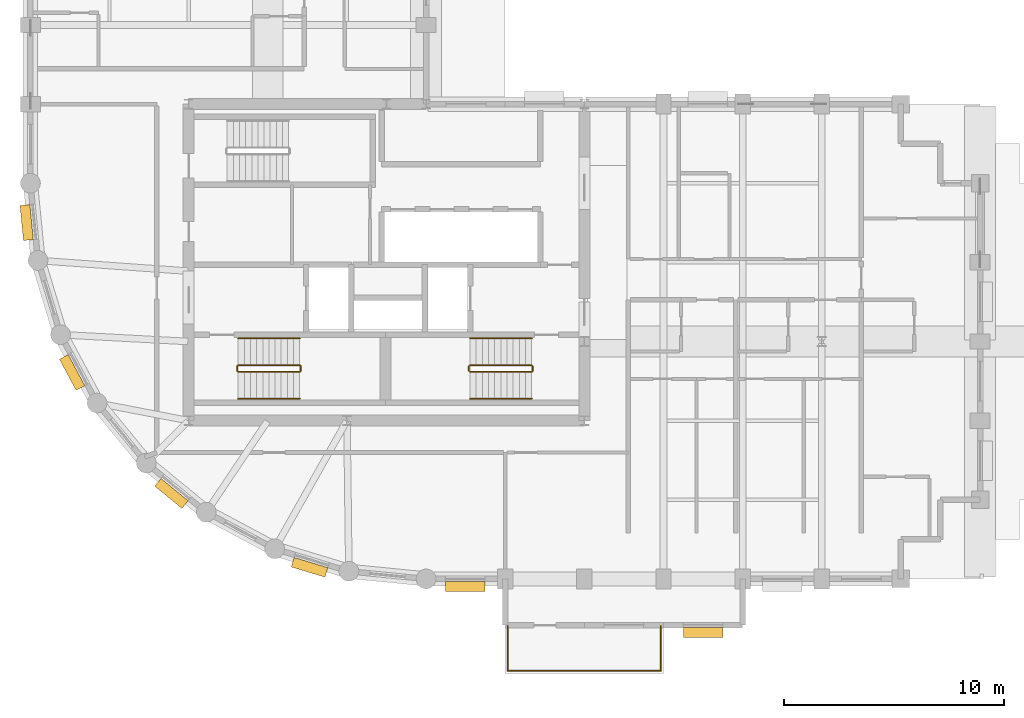
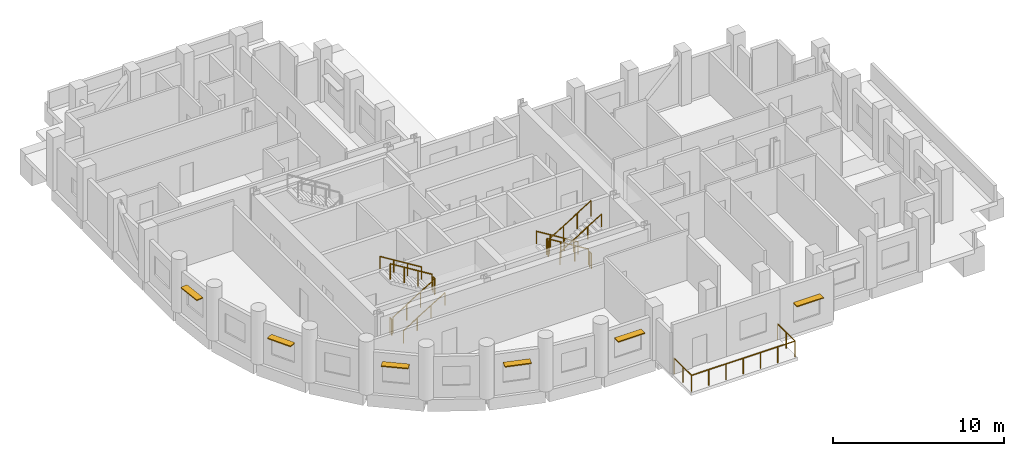
# One storey, part 8 of 10: 15 railings, 6 shading devices.
"""IFC4 building model written with IfcOpenShell, lengths in metres."""

from ifc_helpers import new_model, si_unit, direction, frame, origin, origin_2d, place, context, subcontext, project, spatial, rectangle, circle, extrude, material, layer, layer_set, type_object, element, save


model = new_model("IFC4")

# Units and contexts
model_context = context("Model", 3, precision=1e-05, world=origin(), true_north=direction((0.0, 1.0)))
body_context = subcontext(model_context, "Body", "Model", "MODEL_VIEW")
ifc_project = project(units=[si_unit("LENGTHUNIT", "METRE"), si_unit("AREAUNIT", "SQUARE_METRE"), si_unit("VOLUMEUNIT", "CUBIC_METRE"), si_unit("PLANEANGLEUNIT", "RADIAN"), si_unit("MASSUNIT", "GRAM", prefix="KILO")], contexts=[model_context])

# Site, building, storey
site_placement = place(None, origin())
site = spatial("IfcSite", under=ifc_project, at=site_placement, CompositionType="ELEMENT")
building_placement = place(site_placement, origin())
building = spatial("IfcBuilding", under=site, at=building_placement, Name="Solnavia Interchange Tower", CompositionType="ELEMENT")
storey_placement = place(building_placement, frame((0.0, 0.0, 174.800048828125)))
storey = spatial("IfcBuildingStorey", under=building, at=storey_placement, Name="L43", CompositionType="ELEMENT", Elevation=174.800048828125)

# Railings
ifc_material_1 = material(Name="Painted Steel Balustrade", Category="steel")
railing_type_1 = type_object("IfcRailingType", Name="Railing-StairGuard-1100", PredefinedType="GUARDRAIL", material=ifc_material_1)
railing_1_placement = place(storey_placement, frame((16.64990234375, 13.02001953125, 0.172607421875)))
element("IfcRailing", 1, at=railing_1_placement, inside=storey, type_object=railing_type_1, Name="L43 ST-1 stair guard 1", PredefinedType="GUARDRAIL", context=body_context, shape_type="SweptSolid", body=[
    extrude(circle(Radius=0.02392578125, at=origin_2d()), frame((0.0, 0.0, 1.09619140625), z_axis=(0.851089632645, 0.0, 0.525020415988), x_axis=(0.0, 1.0, 0.0)), (0.0, 0.0, 1.0), 3.2900390625),
    extrude(circle(Radius=0.02099609375, at=origin_2d()), origin(), (0.0, 0.0, 1.0), 1.072021484375),
    extrude(circle(Radius=0.02099609375, at=origin_2d()), frame((0.933349609375, 0.0, 0.57568359375)), (0.0, 0.0, 1.0), 1.072021484375),
    extrude(circle(Radius=0.02099609375, at=origin_2d()), frame((1.86669921875, 0.0, 1.151611328125)), (0.0, 0.0, 1.0), 1.072021484375),
    extrude(circle(Radius=0.02099609375, at=origin_2d()), frame((2.800048828125, 0.0, 1.727294921875)), (0.0, 0.0, 1.0), 1.072021484375),
])
railing_2_placement = place(storey_placement, frame((19.5, 13.070068359375, 1.89990234375)))
element("IfcRailing", 2, at=railing_2_placement, inside=storey, type_object=railing_type_1, Name="L43 ST-1 stair guard 2", PredefinedType="GUARDRAIL", context=body_context, shape_type="SweptSolid", body=[
    extrude(circle(Radius=0.02392578125, at=origin_2d()), frame((0.0, 0.0, 1.09619140625), z_axis=(0.0, 1.0, 0.0), x_axis=(-1.0, 0.0, 0.0)), (0.0, 0.0, 1.0), 0.199951171875),
    extrude(circle(Radius=0.02099609375, at=origin_2d()), origin(), (0.0, 0.0, 1.0), 1.072021484375),
    extrude(circle(Radius=0.02099609375, at=origin_2d()), frame((0.0, 0.199951171875, 0.0)), (0.0, 0.0, 1.0), 1.072021484375),
])
railing_3_placement = place(storey_placement, frame((19.449951171875, 13.320068359375, 2.07275390625)))
element("IfcRailing", 3, at=railing_3_placement, inside=storey, type_object=railing_type_1, Name="L43 ST-1 stair guard 3", PredefinedType="GUARDRAIL", context=body_context, shape_type="SweptSolid", body=[
    extrude(circle(Radius=0.02392578125, at=origin_2d()), frame((0.0, 0.0, 1.09619140625), z_axis=(-0.851089632645, 0.0, 0.525020415988), x_axis=(0.0, -1.0, 0.0)), (0.0, 0.0, 1.0), 3.2900390625),
    extrude(circle(Radius=0.02099609375, at=origin_2d()), origin(), (0.0, 0.0, 1.0), 1.072021484375),
    extrude(circle(Radius=0.02099609375, at=origin_2d()), frame((-0.933349609375, 0.0, 0.57568359375)), (0.0, 0.0, 1.0), 1.072021484375),
    extrude(circle(Radius=0.02099609375, at=origin_2d()), frame((-1.86669921875, 0.0, 1.151611328125)), (0.0, 0.0, 1.0), 1.072021484375),
    extrude(circle(Radius=0.02099609375, at=origin_2d()), frame((-2.800048828125, 0.0, 1.727294921875)), (0.0, 0.0, 1.0), 1.072021484375),
])
railing_4_placement = place(storey_placement, frame((16.60009765625, 13.070068359375, 0.0)))
element("IfcRailing", 4, at=railing_4_placement, inside=storey, type_object=railing_type_1, Name="L43 ST-1 stair guard 4", PredefinedType="GUARDRAIL", context=body_context, shape_type="SweptSolid", body=[
    extrude(circle(Radius=0.02392578125, at=origin_2d()), frame((0.0, 0.0, 1.09619140625), z_axis=(0.0, 1.0, 0.0), x_axis=(-1.0, 0.0, 0.0)), (0.0, 0.0, 1.0), 0.199951171875),
    extrude(circle(Radius=0.02099609375, at=origin_2d()), origin(), (0.0, 0.0, 1.0), 1.072021484375),
    extrude(circle(Radius=0.02099609375, at=origin_2d()), frame((0.0, 0.199951171875, 0.0)), (0.0, 0.0, 1.0), 1.072021484375),
])
railing_5_placement = place(storey_placement, frame((30.0, 13.320068359375, 0.172607421875)))
element("IfcRailing", 5, at=railing_5_placement, inside=storey, type_object=railing_type_1, Name="L43 ST-2 stair guard 1", PredefinedType="GUARDRAIL", context=body_context, shape_type="SweptSolid", body=[
    extrude(circle(Radius=0.02392578125, at=origin_2d()), frame((0.0, 0.0, 1.09619140625), z_axis=(-0.851089632645, 0.0, 0.525020415988), x_axis=(0.0, -1.0, 0.0)), (0.0, 0.0, 1.0), 3.2900390625),
    extrude(circle(Radius=0.02099609375, at=origin_2d()), origin(), (0.0, 0.0, 1.0), 1.072021484375),
    extrude(circle(Radius=0.02099609375, at=origin_2d()), frame((-0.933349609375, 0.0, 0.57568359375)), (0.0, 0.0, 1.0), 1.072021484375),
    extrude(circle(Radius=0.02099609375, at=origin_2d()), frame((-1.86669921875, 0.0, 1.151611328125)), (0.0, 0.0, 1.0), 1.072021484375),
    extrude(circle(Radius=0.02099609375, at=origin_2d()), frame((-2.800048828125, 0.0, 1.727294921875)), (0.0, 0.0, 1.0), 1.072021484375),
])
railing_6_placement = place(storey_placement, frame((27.14990234375, 13.27001953125, 1.89990234375)))
element("IfcRailing", 6, at=railing_6_placement, inside=storey, type_object=railing_type_1, Name="L43 ST-2 stair guard 2", PredefinedType="GUARDRAIL", context=body_context, shape_type="SweptSolid", body=[
    extrude(circle(Radius=0.02392578125, at=origin_2d()), frame((0.0, 0.0, 1.09619140625), z_axis=(0.0, -1.0, 0.0), x_axis=(1.0, 0.0, 0.0)), (0.0, 0.0, 1.0), 0.199951171875),
    extrude(circle(Radius=0.02099609375, at=origin_2d()), origin(), (0.0, 0.0, 1.0), 1.072021484375),
    extrude(circle(Radius=0.02099609375, at=origin_2d()), frame((0.0, -0.199951171875, 0.0)), (0.0, 0.0, 1.0), 1.072021484375),
])
railing_7_placement = place(storey_placement, frame((27.199951171875, 13.02001953125, 2.07275390625)))
element("IfcRailing", 7, at=railing_7_placement, inside=storey, type_object=railing_type_1, Name="L43 ST-2 stair guard 3", PredefinedType="GUARDRAIL", context=body_context, shape_type="SweptSolid", body=[
    extrude(circle(Radius=0.02392578125, at=origin_2d()), frame((0.0, 0.0, 1.09619140625), z_axis=(0.851089632645, 0.0, 0.525020415988), x_axis=(0.0, 1.0, 0.0)), (0.0, 0.0, 1.0), 3.2900390625),
    extrude(circle(Radius=0.02099609375, at=origin_2d()), origin(), (0.0, 0.0, 1.0), 1.072021484375),
    extrude(circle(Radius=0.02099609375, at=origin_2d()), frame((0.933349609375, 0.0, 0.57568359375)), (0.0, 0.0, 1.0), 1.072021484375),
    extrude(circle(Radius=0.02099609375, at=origin_2d()), frame((1.86669921875, 0.0, 1.151611328125)), (0.0, 0.0, 1.0), 1.072021484375),
    extrude(circle(Radius=0.02099609375, at=origin_2d()), frame((2.800048828125, 0.0, 1.727294921875)), (0.0, 0.0, 1.0), 1.072021484375),
])
railing_8_placement = place(storey_placement, frame((30.050048828125, 13.27001953125, 0.0)))
element("IfcRailing", 8, at=railing_8_placement, inside=storey, type_object=railing_type_1, Name="L43 ST-2 stair guard 4", PredefinedType="GUARDRAIL", context=body_context, shape_type="SweptSolid", body=[
    extrude(circle(Radius=0.02392578125, at=origin_2d()), frame((0.0, 0.0, 1.09619140625), z_axis=(0.0, -1.0, 0.0), x_axis=(1.0, 0.0, 0.0)), (0.0, 0.0, 1.0), 0.199951171875),
    extrude(circle(Radius=0.02099609375, at=origin_2d()), origin(), (0.0, 0.0, 1.0), 1.072021484375),
    extrude(circle(Radius=0.02099609375, at=origin_2d()), frame((0.0, -0.199951171875, 0.0)), (0.0, 0.0, 1.0), 1.072021484375),
])
ifc_material_2 = material(Name="Brushed Stainless Steel", Category="steel")
railing_type_2 = type_object("IfcRailingType", Name="Railing-StairHandrail-900", PredefinedType="HANDRAIL", material=ifc_material_2)
railing_9_placement = place(storey_placement, frame((16.64990234375, 11.800048828125, 0.172607421875)))
element("IfcRailing", 9, at=railing_9_placement, inside=storey, type_object=railing_type_2, Name="L43 ST-1 stair handrail 1", PredefinedType="HANDRAIL", context=body_context, shape_type="SweptSolid", body=[
    extrude(circle(Radius=0.02392578125, at=origin_2d()), frame((0.0, 0.0, 0.8759765625), z_axis=(0.851089632645, 0.0, 0.525020415988), x_axis=(0.0, 1.0, 0.0)), (0.0, 0.0, 1.0), 3.2900390625),
    extrude(circle(Radius=0.02099609375, at=origin_2d()), origin(), (0.0, 0.0, 1.0), 0.851806640625),
    extrude(circle(Radius=0.02099609375, at=origin_2d()), frame((0.933349609375, 0.0, 0.57568359375)), (0.0, 0.0, 1.0), 0.851806640625),
    extrude(circle(Radius=0.02099609375, at=origin_2d()), frame((1.86669921875, 0.0, 1.151611328125)), (0.0, 0.0, 1.0), 0.851806640625),
    extrude(circle(Radius=0.02099609375, at=origin_2d()), frame((2.800048828125, 0.0, 1.727294921875)), (0.0, 0.0, 1.0), 0.851806640625),
])
for number, where, name in (
    (10, (19.449951171875, 14.5400390625, 2.07275390625), "L43 ST-1 stair handrail 2"),
    (11, (30.0, 14.5400390625, 0.172607421875), "L43 ST-2 stair handrail 1"),
):
    element("IfcRailing", number, at=place(storey_placement, frame(where)), inside=storey, type_object=railing_type_2, Name=name, PredefinedType="HANDRAIL", context=body_context, shape_type="SweptSolid", body=[
        extrude(circle(Radius=0.02392578125, at=origin_2d()), frame((0.0, 0.0, 0.8759765625), z_axis=(-0.851089632645, 0.0, 0.525020415988), x_axis=(0.0, -1.0, 0.0)), (0.0, 0.0, 1.0), 3.2900390625),
        extrude(circle(Radius=0.02099609375, at=origin_2d()), origin(), (0.0, 0.0, 1.0), 0.851806640625),
        extrude(circle(Radius=0.02099609375, at=origin_2d()), frame((-0.933349609375, 0.0, 0.57568359375)), (0.0, 0.0, 1.0), 0.851806640625),
        extrude(circle(Radius=0.02099609375, at=origin_2d()), frame((-1.86669921875, 0.0, 1.151611328125)), (0.0, 0.0, 1.0), 0.851806640625),
        extrude(circle(Radius=0.02099609375, at=origin_2d()), frame((-2.800048828125, 0.0, 1.727294921875)), (0.0, 0.0, 1.0), 0.851806640625),
    ])
railing_10_placement = place(storey_placement, frame((27.199951171875, 11.800048828125, 2.07275390625)))
element("IfcRailing", 12, at=railing_10_placement, inside=storey, type_object=railing_type_2, Name="L43 ST-2 stair handrail 2", PredefinedType="HANDRAIL", context=body_context, shape_type="SweptSolid", body=[
    extrude(circle(Radius=0.02392578125, at=origin_2d()), frame((0.0, 0.0, 0.8759765625), z_axis=(0.851089632645, 0.0, 0.525020415988), x_axis=(0.0, 1.0, 0.0)), (0.0, 0.0, 1.0), 3.2900390625),
    extrude(circle(Radius=0.02099609375, at=origin_2d()), origin(), (0.0, 0.0, 1.0), 0.851806640625),
    extrude(circle(Radius=0.02099609375, at=origin_2d()), frame((0.933349609375, 0.0, 0.57568359375)), (0.0, 0.0, 1.0), 0.851806640625),
    extrude(circle(Radius=0.02099609375, at=origin_2d()), frame((1.86669921875, 0.0, 1.151611328125)), (0.0, 0.0, 1.0), 0.851806640625),
    extrude(circle(Radius=0.02099609375, at=origin_2d()), frame((2.800048828125, 0.0, 1.727294921875)), (0.0, 0.0, 1.0), 0.851806640625),
])
ifc_material_3 = material(Name="Laminated Safety Glass & Stainless Steel", Category="steel")
railing_type_3 = type_object("IfcRailingType", Name="Railing-TerraceGuard-1150", PredefinedType="GUARDRAIL", material=ifc_material_3)
railing_11_placement = place(storey_placement, frame((28.919921875, 1.449951171875, -0.0400390625)))
element("IfcRailing", 13, at=railing_11_placement, inside=storey, type_object=railing_type_3, Name="GRD-L43-TER-01 Perimeter terrace guardrail", PredefinedType="GUARDRAIL", context=body_context, shape_type="SweptSolid", body=[
    extrude(circle(Radius=0.02392578125, at=origin_2d()), frame((0.0, 0.0, 1.1259765625), z_axis=(0.0, -1.0, 0.0), x_axis=(1.0, 0.0, 0.0)), (0.0, 0.0, 1.0), 2.030029296875),
    extrude(circle(Radius=0.02099609375, at=origin_2d()), origin(), (0.0, 0.0, 1.0), 1.101806640625),
    extrude(circle(Radius=0.02099609375, at=origin_2d()), frame((0.0, -1.01513671875, 0.0)), (0.0, 0.0, 1.0), 1.101806640625),
    extrude(circle(Radius=0.02099609375, at=origin_2d()), frame((0.0, -2.030029296875, 0.0)), (0.0, 0.0, 1.0), 1.101806640625),
])
railing_12_placement = place(storey_placement, frame((28.919921875, -0.580078125, -0.0400390625)))
element("IfcRailing", 14, at=railing_12_placement, inside=storey, type_object=railing_type_3, Name="GRD-L43-TER-02 Perimeter terrace guardrail", PredefinedType="GUARDRAIL", context=body_context, shape_type="SweptSolid", body=[
    extrude(circle(Radius=0.02392578125, at=origin_2d()), frame((0.0, 0.0, 1.1259765625), z_axis=(1.0, 0.0, 0.0), x_axis=(0.0, 1.0, 0.0)), (0.0, 0.0, 1.0), 6.9599609375),
    extrude(circle(Radius=0.02099609375, at=origin_2d()), origin(), (0.0, 0.0, 1.0), 1.101806640625),
    extrude(circle(Radius=0.02099609375, at=origin_2d()), frame((1.159912109375, 0.0, 0.0)), (0.0, 0.0, 1.0), 1.101806640625),
    extrude(circle(Radius=0.02099609375, at=origin_2d()), frame((2.320068359375, 0.0, 0.0)), (0.0, 0.0, 1.0), 1.101806640625),
    extrude(circle(Radius=0.02099609375, at=origin_2d()), frame((3.47998046875, 0.0, 0.0)), (0.0, 0.0, 1.0), 1.101806640625),
    extrude(circle(Radius=0.02099609375, at=origin_2d()), frame((4.639892578125, 0.0, 0.0)), (0.0, 0.0, 1.0), 1.101806640625),
    extrude(circle(Radius=0.02099609375, at=origin_2d()), frame((5.800048828125, 0.0, 0.0)), (0.0, 0.0, 1.0), 1.101806640625),
    extrude(circle(Radius=0.02099609375, at=origin_2d()), frame((6.9599609375, 0.0, 0.0)), (0.0, 0.0, 1.0), 1.101806640625),
])
railing_13_placement = place(storey_placement, frame((35.8798828125, -0.580078125, -0.0400390625)))
element("IfcRailing", 15, at=railing_13_placement, inside=storey, type_object=railing_type_3, Name="GRD-L43-TER-03 Perimeter terrace guardrail", PredefinedType="GUARDRAIL", context=body_context, shape_type="SweptSolid", body=[
    extrude(circle(Radius=0.02392578125, at=origin_2d()), frame((0.0, 0.0, 1.1259765625), z_axis=(0.0, 1.0, 0.0), x_axis=(-1.0, 0.0, 0.0)), (0.0, 0.0, 1.0), 2.030029296875),
    extrude(circle(Radius=0.02099609375, at=origin_2d()), origin(), (0.0, 0.0, 1.0), 1.101806640625),
    extrude(circle(Radius=0.02099609375, at=origin_2d()), frame((0.0, 1.01513671875, 0.0)), (0.0, 0.0, 1.0), 1.101806640625),
    extrude(circle(Radius=0.02099609375, at=origin_2d()), frame((0.0, 2.030029296875, 0.0)), (0.0, 0.0, 1.0), 1.101806640625),
])

# Shading devices
ifc_material_4 = material(Name="Anodised Aluminium Sunshade", Category="aluminium")
ifc_layer = layer(ifc_material_4, 0.070068359375)
ifc_layer_set = layer_set([ifc_layer], Name="Anodised Aluminium Sunshade")
shading_device_type = type_object("IfcShadingDeviceType", Name="Sunshade-Band-450", PredefinedType="JALOUSIE", material=ifc_layer_set)
for number, where, z_axis, x_axis, name in (
    (16, (26.97509765625, 3.2548828125, 2.22509765625), (0.0, 0.0, 1.0), (-1.0, 0.0, 0.0), "SHD-L43-01 Horizontal sunshade band"),
    (17, (37.800048828125, 1.155029296875, 2.22509765625), (0.0, 0.0, 1.0), (-1.0, 0.0, 0.0), "SHD-L43-05 Horizontal sunshade band"),
):
    element("IfcShadingDevice", number, at=place(storey_placement, frame(where, z_axis=z_axis, x_axis=x_axis)), inside=storey, type_object=shading_device_type, Name=name, PredefinedType="JALOUSIE", context=body_context, shape_type="SweptSolid", body=[
        extrude(rectangle(XDim=1.800048828125, YDim=0.449951171875, at=origin_2d()), origin(), (0.0, 0.0, 1.0), 0.070068359375),
    ])
for number, where, z_axis, x_axis, name in (
    (18, (7.029541015625, 19.810791015625, 2.22509765625), (0.0, 0.0, 1.0), (-0.098103986207, 0.995176169274, 0.0), "SHD-L43-45 Horizontal sunshade band"),
    (19, (9.097900390625, 12.992919921875, 2.22509765625), (0.0, 0.0, 1.0), (-0.47147369718, 0.881880123865, 0.0), "SHD-L43-47 Horizontal sunshade band"),
    (20, (13.617431640625, 7.486083984375, 2.22509765625), (0.0, 0.0, 1.0), (-0.773176510644, 0.634190888762, 0.0), "SHD-L43-49 Horizontal sunshade band"),
    (21, (19.89990234375, 4.1279296875, 2.22509765625), (0.0, 0.0, 1.0), (-0.956965664205, 0.290201167351, 0.0), "SHD-L43-51 Horizontal sunshade band"),
):
    element("IfcShadingDevice", number, at=place(storey_placement, frame(where, z_axis=z_axis, x_axis=x_axis)), inside=storey, type_object=shading_device_type, Name=name, PredefinedType="JALOUSIE", context=body_context, shape_type="SweptSolid", body=[
        extrude(rectangle(XDim=1.60009765625, YDim=0.449951171875, at=origin_2d()), origin(), (0.0, 0.0, 1.0), 0.070068359375),
    ])

save(model, "model.ifc")
